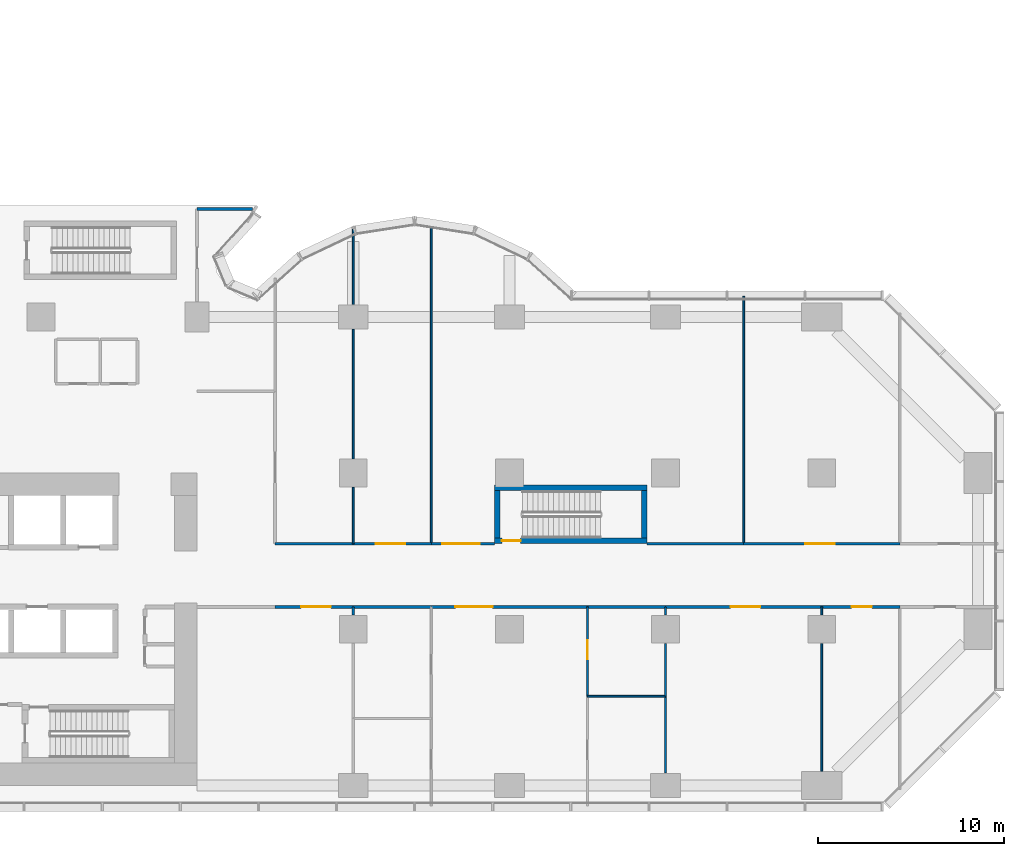
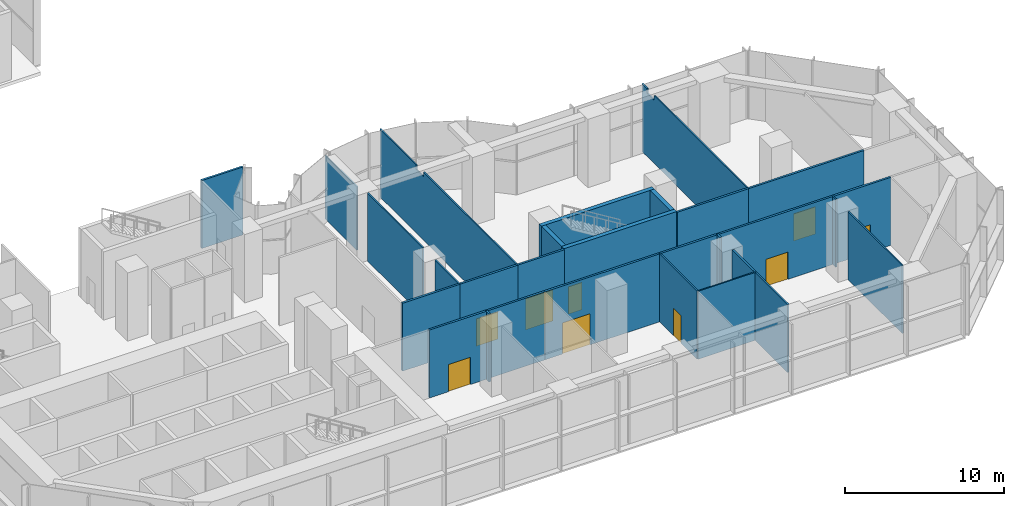
# One storey, part 10 of 16: 29 walls, 9 doors, 9 openings.
"""IFC4 building model written with IfcOpenShell, lengths in metres."""

from ifc_helpers import new_model, si_unit, direction, frame, frame_2d, origin, place, context, subcontext, project, spatial, polyline, rectangle, outline, extrude, material, layer, layer_set, type_object, element, fill, save


model = new_model("IFC4")

# Units and contexts
model_context = context("Model", 3, precision=1e-05, world=origin(), true_north=direction((0.0, 1.0)))
body_context = subcontext(model_context, "Body", "Model", "MODEL_VIEW")
ifc_project = project(units=[si_unit("LENGTHUNIT", "METRE"), si_unit("AREAUNIT", "SQUARE_METRE"), si_unit("VOLUMEUNIT", "CUBIC_METRE"), si_unit("PLANEANGLEUNIT", "RADIAN"), si_unit("MASSUNIT", "GRAM", prefix="KILO")], contexts=[model_context])

# Site, building, storey
site_placement = place(None, origin())
site = spatial("IfcSite", under=ifc_project, at=site_placement, CompositionType="ELEMENT")
building_placement = place(site_placement, origin())
building = spatial("IfcBuilding", under=site, at=building_placement, Name="Brevane Broadcast Tower", CompositionType="ELEMENT")
storey_placement = place(building_placement, frame((0.0, 0.0, 7.0)))
storey = spatial("IfcBuildingStorey", under=building, at=storey_placement, Name="L01", CompositionType="ELEMENT", Elevation=7.0)

# Wall, opening, door
ifc_material_1 = material(Name="Concrete C80/95", Category="concrete")
ifc_layer_1 = layer(ifc_material_1, 0.300048828125)
ifc_layer_set_1 = layer_set([ifc_layer_1], Name="Core wall 300 mm C80/95")
wall_type_1 = type_object("IfcWallType", Name="Core wall 300 mm C80/95", PredefinedType="SHEAR", material=ifc_layer_set_1)
wall_1_placement = place(storey_placement, frame((49.39990234375, 13.14990234375, 0.0), z_axis=(0.0, 0.0, 1.0), x_axis=(-1.0, 0.0, 0.0)))
wall_1 = element("IfcWall", 1, at=wall_1_placement, inside=storey, type_object=wall_type_1, Name="L01 stair wall ST-4-S", PredefinedType="SHEAR", context=body_context, shape_type="SweptSolid", body=[
    extrude(rectangle(XDim=8.199951171875, YDim=0.300048828125, at=frame_2d((4.10009765625, 0.0))), origin(), (0.0, 0.0, 1.0), 5.25),
])
opening_1_placement = place(wall_1_placement, frame((6.800048828125, 0.0, 0.0)))
opening_1 = element("IfcOpeningElement", 2, at=opening_1_placement, cuts=wall_1, Name="Opening L01-K16", PredefinedType="OPENING", context=body_context, shape_type="SweptSolid", body=[
    extrude(rectangle(XDim=1.0, YDim=2.10009765625, at=frame_2d((0.5, 1.050048828125))), frame((0.0, 0.159912109375, 0.0), z_axis=(0.0, -1.0, 0.0), x_axis=(1.0, 0.0, 0.0)), (0.0, 0.0, 1.0), 0.320068359375),
])
ifc_material_2 = material(Name="Steel", Category="steel")
door_type_1 = type_object("IfcDoorType", Name="Stair door 1000 x 2100", OperationType="SINGLE_SWING_LEFT", PredefinedType="DOOR", material=ifc_material_2)
door_1_placement = place(opening_1_placement, origin())
door_1 = element("IfcDoor", 3, at=door_1_placement, inside=storey, type_object=door_type_1, Name="Door L01-K16", OperationType="SINGLE_SWING_RIGHT", OverallHeight=2.10009765625, OverallWidth=1.0, PredefinedType="DOOR", context=body_context, shape_type="SweptSolid", body=[
    extrude(rectangle(XDim=1.0, YDim=2.10009765625, at=frame_2d((0.5, 1.050048828125))), frame((0.0, 0.02490234375, 0.0), z_axis=(0.0, -1.0, 0.0), x_axis=(1.0, 0.0, 0.0)), (0.0, 0.0, 1.0), 0.050048828125),
])
fill(opening_1, door_1)

# Walls
wall_2_placement = place(storey_placement, frame((41.199951171875, 16.0, 0.0), z_axis=(0.0, 0.0, 1.0), x_axis=(1.0, 0.0, 0.0)))
element("IfcWall", 4, at=wall_2_placement, inside=storey, type_object=wall_type_1, Name="L01 stair wall ST-4-N", PredefinedType="SHEAR", context=body_context, shape_type="SweptSolid", body=[
    extrude(rectangle(XDim=8.199951171875, YDim=0.300048828125, at=frame_2d((4.10009765625, 0.0))), origin(), (0.0, 0.0, 1.0), 5.25),
])
for number, where, z_axis, x_axis, name in (
    (5, (41.35009765625, 13.300048828125, 0.0), (0.0, 0.0, 1.0), (0.0, 1.0, 0.0), "L01 stair wall ST-4-W"),
    (6, (49.25, 13.300048828125, 0.0), (0.0, 0.0, 1.0), (0.0, 1.0, 0.0), "L01 stair wall ST-4-E"),
):
    element("IfcWall", number, at=place(storey_placement, frame(where, z_axis=z_axis, x_axis=x_axis)), inside=storey, type_object=wall_type_1, Name=name, PredefinedType="SHEAR", context=body_context, shape_type="SweptSolid", body=[
        extrude(rectangle(XDim=2.550048828125, YDim=0.300048828125, at=frame_2d((1.27490234375, 0.0))), origin(), (0.0, 0.0, 1.0), 5.25),
    ])

# Wall, opening, door
ifc_material_3 = material(Name="Gypsum board partition")
ifc_layer_2 = layer(ifc_material_3, 0.10009765625)
ifc_layer_set_2 = layer_set([ifc_layer_2], Name="PARTITION 100 STUD")
wall_type_2 = type_object("IfcWallType", Name="PARTITION 100 STUD", PredefinedType="PARTITIONING", material=ifc_layer_set_2)
wall_3_placement = place(storey_placement, frame((46.199951171875, 9.60009765625, 0.0), z_axis=(0.0, 0.0, 1.0), x_axis=(0.0, -1.0, 0.0)))
wall_3 = element("IfcWall", 7, at=wall_3_placement, inside=storey, type_object=wall_type_2, Name="Partition P1-025", PredefinedType="PARTITIONING", context=body_context, shape_type="SweptSolid", body=[
    extrude(rectangle(XDim=4.800048828125, YDim=0.10009765625, at=frame_2d((2.39990234375, 0.0))), origin(), (0.0, 0.0, 1.0), 5.22998046875),
])
opening_2_placement = place(wall_3_placement, frame((1.800048828125, 0.0, 0.0)))
opening_2 = element("IfcOpeningElement", 8, at=opening_2_placement, cuts=wall_3, Name="Opening D02-005", PredefinedType="OPENING", context=body_context, shape_type="SweptSolid", body=[
    extrude(rectangle(XDim=1.0, YDim=2.10009765625, at=frame_2d((0.5, 1.050048828125))), frame((0.0, 0.06005859375, 0.0), z_axis=(0.0, -1.0, 0.0), x_axis=(1.0, 0.0, 0.0)), (0.0, 0.0, 1.0), 0.1201171875),
])
ifc_material_4 = material(Name="Timber door leaf", Category="wood")
door_type_2 = type_object("IfcDoorType", Name="DOOR SINGLE 1000 INTERNAL", OperationType="SINGLE_SWING_LEFT", PredefinedType="DOOR", material=ifc_material_4)
door_2_placement = place(opening_2_placement, origin())
door_2 = element("IfcDoor", 9, at=door_2_placement, inside=storey, type_object=door_type_2, Name="Door D02-005", OperationType="SINGLE_SWING_LEFT", OverallHeight=2.10009765625, OverallWidth=1.0, PredefinedType="DOOR", context=body_context, shape_type="SweptSolid", body=[
    extrude(rectangle(XDim=1.0, YDim=2.10009765625, at=frame_2d((0.5, 1.050048828125))), frame((0.0, 0.02490234375, 0.0), z_axis=(0.0, -1.0, 0.0), x_axis=(1.0, 0.0, 0.0)), (0.0, 0.0, 1.0), 0.050048828125),
])
fill(opening_2, door_2)

# Walls
wall_4_placement = place(storey_placement, frame((46.199951171875, 4.800048828125, 0.0), z_axis=(0.0, 0.0, 1.0), x_axis=(1.0, 0.0, 0.0)))
element("IfcWall", 10, at=wall_4_placement, inside=storey, type_object=wall_type_2, Name="Partition P1-028", PredefinedType="PARTITIONING", context=body_context, shape_type="SweptSolid", body=[
    extrude(rectangle(XDim=4.199951171875, YDim=0.10009765625, at=frame_2d((2.10009765625, 0.0))), origin(), (0.0, 0.0, 1.0), 5.22998046875),
])
wall_5_placement = place(storey_placement, frame((58.800048828125, 9.60009765625, 0.0), z_axis=(0.0, 0.0, 1.0), x_axis=(0.0, -1.0, 0.0)))
element("IfcWall", 11, at=wall_5_placement, inside=storey, type_object=wall_type_2, Name="Partition P1-033", PredefinedType="PARTITIONING", context=body_context, shape_type="SweptSolid", body=[
    extrude(rectangle(XDim=0.43017578125, YDim=0.10009765625, at=frame_2d((0.215087890625, 0.0))), origin(), (0.0, 0.0, 1.0), 5.22998046875),
])
wall_6_placement = place(storey_placement, frame((58.800048828125, 7.6298828125, 0.0), z_axis=(0.0, 0.0, 1.0), x_axis=(0.0, -1.0, 0.0)))
element("IfcWall", 12, at=wall_6_placement, inside=storey, type_object=wall_type_2, Name="Partition P1-034", PredefinedType="PARTITIONING", context=body_context, shape_type="SweptSolid", body=[
    extrude(rectangle(XDim=6.85986328125, YDim=0.10009765625, at=frame_2d((3.429931640625, 0.0))), origin(), (0.0, 0.0, 1.0), 5.22998046875),
])
wall_7_placement = place(storey_placement, frame((33.60009765625, 29.903564453125, 0.0), z_axis=(0.0, 0.0, 1.0), x_axis=(0.0, -1.0, 0.0)))
element("IfcWall", 13, at=wall_7_placement, inside=storey, type_object=wall_type_2, Name="Partition P1-036", PredefinedType="PARTITIONING", context=body_context, shape_type="SweptSolid", body=[
    extrude(rectangle(XDim=4.033447265625, YDim=0.10009765625, at=frame_2d((2.0166015625, 0.0))), origin(), (0.0, 0.0, 1.0), 4.8798828125),
])
wall_8_placement = place(storey_placement, frame((33.60009765625, 24.530029296875, 0.0), z_axis=(0.0, 0.0, 1.0), x_axis=(0.0, -1.0, 0.0)))
element("IfcWall", 14, at=wall_8_placement, inside=storey, type_object=wall_type_2, Name="Partition P1-037", PredefinedType="PARTITIONING", context=body_context, shape_type="SweptSolid", body=[
    extrude(rectangle(XDim=6.9599609375, YDim=0.10009765625, at=frame_2d((3.47998046875, 0.0))), origin(), (0.0, 0.0, 1.0), 5.22998046875),
])
wall_9_placement = place(storey_placement, frame((33.60009765625, 16.030029296875, 0.0), z_axis=(0.0, 0.0, 1.0), x_axis=(0.0, -1.0, 0.0)))
element("IfcWall", 15, at=wall_9_placement, inside=storey, type_object=wall_type_2, Name="Partition P1-038", PredefinedType="PARTITIONING", context=body_context, shape_type="SweptSolid", body=[
    extrude(rectangle(XDim=3.030029296875, YDim=0.10009765625, at=frame_2d((1.51513671875, 0.0))), origin(), (0.0, 0.0, 1.0), 5.22998046875),
])
wall_10_placement = place(storey_placement, frame((37.800048828125, 30.24267578125, 0.0), z_axis=(0.0, 0.0, 1.0), x_axis=(0.0, -1.0, 0.0)))
element("IfcWall", 16, at=wall_10_placement, inside=storey, type_object=wall_type_2, Name="Partition P1-039", PredefinedType="PARTITIONING", context=body_context, shape_type="SweptSolid", body=[
    extrude(outline(polyline([(0.0, 0.0), (17.24267578125, 0.0), (17.24267578125, 5.22998046875), (5.49267578125, 5.22998046875), (5.49072265625, 4.8798828125), (4.5947265625, 4.8798828125), (4.5927734375, 5.22998046875), (0.0, 5.22998046875), (0.0, 0.0)])), frame((0.0, 0.050048828125, 0.0), z_axis=(0.0, -1.0, 0.0), x_axis=(1.0, 0.0, 0.0)), (0.0, 0.0, 1.0), 0.10009765625),
])
wall_11_placement = place(storey_placement, frame((54.60009765625, 26.300048828125, 0.0), z_axis=(0.0, 0.0, 1.0), x_axis=(0.0, -1.0, 0.0)))
element("IfcWall", 17, at=wall_11_placement, inside=storey, type_object=wall_type_2, Name="Partition P1-040", PredefinedType="PARTITIONING", context=body_context, shape_type="SweptSolid", body=[
    extrude(outline(polyline([(0.0, 0.0), (13.300048828125, 0.0), (13.300048828125, 5.22998046875), (1.550048828125, 5.22998046875), (1.548095703125, 4.8798828125), (0.652099609375, 4.8798828125), (0.64990234375, 5.22998046875), (0.0, 5.22998046875), (0.0, 0.0)])), frame((0.0, 0.050048828125, 0.0), z_axis=(0.0, -1.0, 0.0), x_axis=(1.0, 0.0, 0.0)), (0.0, 0.0, 1.0), 0.10009765625),
])
ifc_layer_3 = layer(ifc_material_3, 0.125)
ifc_layer_set_3 = layer_set([ifc_layer_3], Name="PARTITION 125 ACOUSTIC")
wall_type_3 = type_object("IfcWallType", Name="PARTITION 125 ACOUSTIC", PredefinedType="PARTITIONING", material=ifc_layer_set_3)
wall_12_placement = place(storey_placement, frame((33.60009765625, 9.60009765625, 0.0), z_axis=(0.0, 0.0, 1.0), x_axis=(0.0, -1.0, 0.0)))
element("IfcWall", 18, at=wall_12_placement, inside=storey, type_object=wall_type_3, Name="Partition P1-022", PredefinedType="PARTITIONING", context=body_context, shape_type="SweptSolid", body=[
    extrude(rectangle(XDim=0.43017578125, YDim=0.125, at=frame_2d((0.215087890625, 0.0))), origin(), (0.0, 0.0, 1.0), 5.22998046875),
])
wall_13_placement = place(storey_placement, frame((50.39990234375, 4.800048828125, 0.0), z_axis=(0.0, 0.0, 1.0), x_axis=(0.0, -1.0, 0.0)))
element("IfcWall", 19, at=wall_13_placement, inside=storey, type_object=wall_type_3, Name="Partition P1-029", PredefinedType="PARTITIONING", context=body_context, shape_type="SweptSolid", body=[
    extrude(rectangle(XDim=4.130126953125, YDim=0.125, at=frame_2d((2.06494140625, 0.0))), origin(), (0.0, 0.0, 1.0), 5.22998046875),
])
wall_14_placement = place(storey_placement, frame((50.39990234375, 9.60009765625, 0.0), z_axis=(0.0, 0.0, 1.0), x_axis=(0.0, -1.0, 0.0)))
element("IfcWall", 20, at=wall_14_placement, inside=storey, type_object=wall_type_3, Name="Partition P1-030", PredefinedType="PARTITIONING", context=body_context, shape_type="SweptSolid", body=[
    extrude(rectangle(XDim=0.43017578125, YDim=0.125, at=frame_2d((0.215087890625, 0.0))), origin(), (0.0, 0.0, 1.0), 5.22998046875),
])
wall_15_placement = place(storey_placement, frame((50.39990234375, 7.6298828125, 0.0), z_axis=(0.0, 0.0, 1.0), x_axis=(0.0, -1.0, 0.0)))
element("IfcWall", 21, at=wall_15_placement, inside=storey, type_object=wall_type_3, Name="Partition P1-031", PredefinedType="PARTITIONING", context=body_context, shape_type="SweptSolid", body=[
    extrude(rectangle(XDim=2.829833984375, YDim=0.125, at=frame_2d((1.4150390625, 0.0))), origin(), (0.0, 0.0, 1.0), 5.22998046875),
])
ifc_layer_4 = layer(ifc_material_3, 0.14990234375)
ifc_layer_set_4 = layer_set([ifc_layer_4], Name="PARTITION 150 EI 60")
wall_type_4 = type_object("IfcWallType", Name="PARTITION 150 EI 60", PredefinedType="PARTITIONING", material=ifc_layer_set_4)
wall_16_placement = place(storey_placement, frame((25.199951171875, 31.0, 0.0), z_axis=(0.0, 0.0, 1.0), x_axis=(1.0, 0.0, 0.0)))
element("IfcWall", 22, at=wall_16_placement, inside=storey, type_object=wall_type_4, Name="Partition P1-006", PredefinedType="PARTITIONING", context=body_context, shape_type="SweptSolid", body=[
    extrude(rectangle(XDim=2.994140625, YDim=0.14990234375, at=frame_2d((1.4970703125, 0.0))), origin(), (0.0, 0.0, 1.0), 5.22998046875),
])

# Wall, opening, door
wall_17_placement = place(storey_placement, frame((33.60009765625, 9.60009765625, 0.0), z_axis=(0.0, 0.0, 1.0), x_axis=(-1.0, 0.0, 0.0)))
wall_17 = element("IfcWall", 23, at=wall_17_placement, inside=storey, type_object=wall_type_4, Name="Partition P1-008", PredefinedType="PARTITIONING", context=body_context, shape_type="SweptSolid", body=[
    extrude(rectangle(XDim=4.2001953125, YDim=0.14990234375, at=frame_2d((2.10009765625, 0.0))), origin(), (0.0, 0.0, 1.0), 5.22998046875),
])
opening_3_placement = place(wall_17_placement, frame((1.199951171875, 0.0, 0.0)))
opening_3 = element("IfcOpeningElement", 24, at=opening_3_placement, cuts=wall_17, Name="Opening D02-002", PredefinedType="OPENING", context=body_context, shape_type="SweptSolid", body=[
    extrude(rectangle(XDim=1.60009765625, YDim=2.10009765625, at=frame_2d((0.800048828125, 1.050048828125))), frame((0.0, 0.0849609375, 0.0), z_axis=(0.0, -1.0, 0.0), x_axis=(1.0, 0.0, 0.0)), (0.0, 0.0, 1.0), 0.169921875),
])
ifc_material_5 = material(Name="Fire-rated timber door leaf", Category="wood")
door_type_3 = type_object("IfcDoorType", Name="DOOR DOUBLE 1600 FD30S", OperationType="DOUBLE_DOOR_SINGLE_SWING", PredefinedType="DOOR", material=ifc_material_5)
door_3_placement = place(opening_3_placement, origin())
door_3 = element("IfcDoor", 25, at=door_3_placement, inside=storey, type_object=door_type_3, Name="Door D02-002", OperationType="DOUBLE_DOOR_SINGLE_SWING", OverallHeight=2.10009765625, OverallWidth=1.60009765625, PredefinedType="DOOR", context=body_context, shape_type="SweptSolid", body=[
    extrude(rectangle(XDim=1.60009765625, YDim=2.10009765625, at=frame_2d((0.800048828125, 1.050048828125))), frame((0.0, 0.02490234375, 0.0), z_axis=(0.0, -1.0, 0.0), x_axis=(1.0, 0.0, 0.0)), (0.0, 0.0, 1.0), 0.050048828125),
])
fill(opening_3, door_3)

wall_18_placement = place(storey_placement, frame((46.199951171875, 9.60009765625, 0.0), z_axis=(0.0, 0.0, 1.0), x_axis=(-1.0, 0.0, 0.0)))
wall_18 = element("IfcWall", 26, at=wall_18_placement, inside=storey, type_object=wall_type_4, Name="Partition P1-009", PredefinedType="PARTITIONING", context=body_context, shape_type="SweptSolid", body=[
    extrude(rectangle(XDim=8.39990234375, YDim=0.14990234375, at=frame_2d((4.199951171875, 0.0))), origin(), (0.0, 0.0, 1.0), 5.22998046875),
])
opening_4_placement = place(wall_18_placement, frame((5.10009765625, 0.0, 0.0)))
opening_4 = element("IfcOpeningElement", 27, at=opening_4_placement, cuts=wall_18, Name="Opening D02-003", PredefinedType="OPENING", context=body_context, shape_type="SweptSolid", body=[
    extrude(rectangle(XDim=2.0, YDim=2.39990234375, at=frame_2d((1.0, 1.199951171875))), frame((0.0, 0.0849609375, 0.0), z_axis=(0.0, -1.0, 0.0), x_axis=(1.0, 0.0, 0.0)), (0.0, 0.0, 1.0), 0.169921875),
])
door_type_4 = type_object("IfcDoorType", Name="DOOR DOUBLE 2000 FD30S", OperationType="DOUBLE_DOOR_SINGLE_SWING", PredefinedType="DOOR", material=ifc_material_5)
door_4_placement = place(opening_4_placement, origin())
door_4 = element("IfcDoor", 28, at=door_4_placement, inside=storey, type_object=door_type_4, Name="Door D02-003", OperationType="DOUBLE_DOOR_SINGLE_SWING", OverallHeight=2.39990234375, OverallWidth=2.0, PredefinedType="DOOR", context=body_context, shape_type="SweptSolid", body=[
    extrude(rectangle(XDim=2.0, YDim=2.39990234375, at=frame_2d((1.0, 1.199951171875))), frame((0.0, 0.02490234375, 0.0), z_axis=(0.0, -1.0, 0.0), x_axis=(1.0, 0.0, 0.0)), (0.0, 0.0, 1.0), 0.050048828125),
])
fill(opening_4, door_4)

# Walls
for number, where, z_axis, x_axis, name in (
    (29, (50.39990234375, 9.60009765625, 0.0), (0.0, 0.0, 1.0), (-1.0, 0.0, 0.0), "Partition P1-010"),
    (30, (37.800048828125, 9.60009765625, 0.0), (0.0, 0.0, 1.0), (-1.0, 0.0, 0.0), "Partition P1-011"),
):
    element("IfcWall", number, at=place(storey_placement, frame(where, z_axis=z_axis, x_axis=x_axis)), inside=storey, type_object=wall_type_4, Name=name, PredefinedType="PARTITIONING", context=body_context, shape_type="SweptSolid", body=[
        extrude(rectangle(XDim=4.199951171875, YDim=0.14990234375, at=frame_2d((2.10009765625, 0.0))), origin(), (0.0, 0.0, 1.0), 5.22998046875),
    ])

# Wall, opening, door
wall_19_placement = place(storey_placement, frame((58.800048828125, 9.60009765625, 0.0), z_axis=(0.0, 0.0, 1.0), x_axis=(-1.0, 0.0, 0.0)))
wall_19 = element("IfcWall", 31, at=wall_19_placement, inside=storey, type_object=wall_type_4, Name="Partition P1-012", PredefinedType="PARTITIONING", context=body_context, shape_type="SweptSolid", body=[
    extrude(rectangle(XDim=8.400146484375, YDim=0.14990234375, at=frame_2d((4.2001953125, 0.0))), origin(), (0.0, 0.0, 1.0), 5.22998046875),
])
opening_5_placement = place(wall_19_placement, frame((3.300048828125, 0.0, 0.0)))
opening_5 = element("IfcOpeningElement", 32, at=opening_5_placement, cuts=wall_19, Name="Opening D02-008", PredefinedType="OPENING", context=body_context, shape_type="SweptSolid", body=[
    extrude(rectangle(XDim=1.60009765625, YDim=2.10009765625, at=frame_2d((0.800048828125, 1.050048828125))), frame((0.0, 0.0849609375, 0.0), z_axis=(0.0, -1.0, 0.0), x_axis=(1.0, 0.0, 0.0)), (0.0, 0.0, 1.0), 0.169921875),
])
door_5_placement = place(opening_5_placement, origin())
door_5 = element("IfcDoor", 33, at=door_5_placement, inside=storey, type_object=door_type_3, Name="Door D02-008", OperationType="DOUBLE_DOOR_SINGLE_SWING", OverallHeight=2.10009765625, OverallWidth=1.60009765625, PredefinedType="DOOR", context=body_context, shape_type="SweptSolid", body=[
    extrude(rectangle(XDim=1.60009765625, YDim=2.10009765625, at=frame_2d((0.800048828125, 1.050048828125))), frame((0.0, 0.02490234375, 0.0), z_axis=(0.0, -1.0, 0.0), x_axis=(1.0, 0.0, 0.0)), (0.0, 0.0, 1.0), 0.050048828125),
])
fill(opening_5, door_5)

wall_20_placement = place(storey_placement, frame((63.0, 9.60009765625, 0.0), z_axis=(0.0, 0.0, 1.0), x_axis=(-1.0, 0.0, 0.0)))
wall_20 = element("IfcWall", 34, at=wall_20_placement, inside=storey, type_object=wall_type_4, Name="Partition P1-013", PredefinedType="PARTITIONING", context=body_context, shape_type="SweptSolid", body=[
    extrude(rectangle(XDim=4.199951171875, YDim=0.14990234375, at=frame_2d((2.10009765625, 0.0))), origin(), (0.0, 0.0, 1.0), 5.22998046875),
])
opening_6_placement = place(wall_20_placement, frame((1.5, 0.0, 0.0)))
opening_6 = element("IfcOpeningElement", 35, at=opening_6_placement, cuts=wall_20, Name="Opening D02-009", PredefinedType="OPENING", context=body_context, shape_type="SweptSolid", body=[
    extrude(rectangle(XDim=1.10009765625, YDim=2.10009765625, at=frame_2d((0.550048828125, 1.050048828125))), frame((0.0, 0.0849609375, 0.0), z_axis=(0.0, -1.0, 0.0), x_axis=(1.0, 0.0, 0.0)), (0.0, 0.0, 1.0), 0.169921875),
])
door_type_5 = type_object("IfcDoorType", Name="DOOR SINGLE 1100 FD30S", OperationType="SINGLE_SWING_LEFT", PredefinedType="DOOR", material=ifc_material_5)
door_6_placement = place(opening_6_placement, origin())
door_6 = element("IfcDoor", 36, at=door_6_placement, inside=storey, type_object=door_type_5, Name="Door D02-009", OperationType="SINGLE_SWING_LEFT", OverallHeight=2.10009765625, OverallWidth=1.10009765625, PredefinedType="DOOR", context=body_context, shape_type="SweptSolid", body=[
    extrude(rectangle(XDim=1.10009765625, YDim=2.10009765625, at=frame_2d((0.550048828125, 1.050048828125))), frame((0.0, 0.02490234375, 0.0), z_axis=(0.0, -1.0, 0.0), x_axis=(1.0, 0.0, 0.0)), (0.0, 0.0, 1.0), 0.050048828125),
])
fill(opening_6, door_6)

# Wall
wall_21_placement = place(storey_placement, frame((29.39990234375, 13.0, 0.0), z_axis=(0.0, 0.0, 1.0), x_axis=(1.0, 0.0, 0.0)))
element("IfcWall", 37, at=wall_21_placement, inside=storey, type_object=wall_type_4, Name="Partition P1-015", PredefinedType="PARTITIONING", context=body_context, shape_type="SweptSolid", body=[
    extrude(rectangle(XDim=4.2001953125, YDim=0.14990234375, at=frame_2d((2.10009765625, 0.0))), origin(), (0.0, 0.0, 1.0), 5.22998046875),
])

# Wall, opening, door
wall_22_placement = place(storey_placement, frame((33.60009765625, 13.0, 0.0), z_axis=(0.0, 0.0, 1.0), x_axis=(1.0, 0.0, 0.0)))
wall_22 = element("IfcWall", 38, at=wall_22_placement, inside=storey, type_object=wall_type_4, Name="Partition P1-016", PredefinedType="PARTITIONING", context=body_context, shape_type="SweptSolid", body=[
    extrude(rectangle(XDim=4.199951171875, YDim=0.14990234375, at=frame_2d((2.10009765625, 0.0))), origin(), (0.0, 0.0, 1.0), 5.22998046875),
])
opening_7_placement = place(wall_22_placement, frame((1.199951171875, 0.0, 0.0)))
opening_7 = element("IfcOpeningElement", 39, at=opening_7_placement, cuts=wall_22, Name="Opening D02-012", PredefinedType="OPENING", context=body_context, shape_type="SweptSolid", body=[
    extrude(rectangle(XDim=1.60009765625, YDim=2.10009765625, at=frame_2d((0.800048828125, 1.050048828125))), frame((0.0, 0.0849609375, 0.0), z_axis=(0.0, -1.0, 0.0), x_axis=(1.0, 0.0, 0.0)), (0.0, 0.0, 1.0), 0.169921875),
])
door_7_placement = place(opening_7_placement, origin())
door_7 = element("IfcDoor", 40, at=door_7_placement, inside=storey, type_object=door_type_3, Name="Door D02-012", OperationType="DOUBLE_DOOR_SINGLE_SWING", OverallHeight=2.10009765625, OverallWidth=1.60009765625, PredefinedType="DOOR", context=body_context, shape_type="SweptSolid", body=[
    extrude(rectangle(XDim=1.60009765625, YDim=2.10009765625, at=frame_2d((0.800048828125, 1.050048828125))), frame((0.0, 0.02490234375, 0.0), z_axis=(0.0, -1.0, 0.0), x_axis=(1.0, 0.0, 0.0)), (0.0, 0.0, 1.0), 0.050048828125),
])
fill(opening_7, door_7)

wall_23_placement = place(storey_placement, frame((37.800048828125, 13.0, 0.0), z_axis=(0.0, 0.0, 1.0), x_axis=(1.0, 0.0, 0.0)))
wall_23 = element("IfcWall", 41, at=wall_23_placement, inside=storey, type_object=wall_type_4, Name="Partition P1-017", PredefinedType="PARTITIONING", context=body_context, shape_type="SweptSolid", body=[
    extrude(rectangle(XDim=3.39990234375, YDim=0.14990234375, at=frame_2d((1.699951171875, 0.0))), origin(), (0.0, 0.0, 1.0), 5.22998046875),
])
opening_8_placement = place(wall_23_placement, frame((0.60009765625, 0.0, 0.0)))
opening_8 = element("IfcOpeningElement", 42, at=opening_8_placement, cuts=wall_23, Name="Opening D02-013", PredefinedType="OPENING", context=body_context, shape_type="SweptSolid", body=[
    extrude(rectangle(XDim=2.0, YDim=2.39990234375, at=frame_2d((1.0, 1.199951171875))), frame((0.0, 0.0849609375, 0.0), z_axis=(0.0, -1.0, 0.0), x_axis=(1.0, 0.0, 0.0)), (0.0, 0.0, 1.0), 0.169921875),
])
door_8_placement = place(opening_8_placement, origin())
door_8 = element("IfcDoor", 43, at=door_8_placement, inside=storey, type_object=door_type_4, Name="Door D02-013", OperationType="DOUBLE_DOOR_SINGLE_SWING", OverallHeight=2.39990234375, OverallWidth=2.0, PredefinedType="DOOR", context=body_context, shape_type="SweptSolid", body=[
    extrude(rectangle(XDim=2.0, YDim=2.39990234375, at=frame_2d((1.0, 1.199951171875))), frame((0.0, 0.02490234375, 0.0), z_axis=(0.0, -1.0, 0.0), x_axis=(1.0, 0.0, 0.0)), (0.0, 0.0, 1.0), 0.050048828125),
])
fill(opening_8, door_8)

# Wall
wall_24_placement = place(storey_placement, frame((49.39990234375, 13.0, 0.0), z_axis=(0.0, 0.0, 1.0), x_axis=(1.0, 0.0, 0.0)))
element("IfcWall", 44, at=wall_24_placement, inside=storey, type_object=wall_type_4, Name="Partition P1-018", PredefinedType="PARTITIONING", context=body_context, shape_type="SweptSolid", body=[
    extrude(rectangle(XDim=5.2001953125, YDim=0.14990234375, at=frame_2d((2.60009765625, 0.0))), origin(), (0.0, 0.0, 1.0), 5.22998046875),
])

# Wall, opening, door
wall_25_placement = place(storey_placement, frame((54.60009765625, 13.0, 0.0), z_axis=(0.0, 0.0, 1.0), x_axis=(1.0, 0.0, 0.0)))
wall_25 = element("IfcWall", 45, at=wall_25_placement, inside=storey, type_object=wall_type_4, Name="Partition P1-019", PredefinedType="PARTITIONING", context=body_context, shape_type="SweptSolid", body=[
    extrude(rectangle(XDim=8.39990234375, YDim=0.14990234375, at=frame_2d((4.199951171875, 0.0))), origin(), (0.0, 0.0, 1.0), 5.22998046875),
])
opening_9_placement = place(wall_25_placement, frame((3.300048828125, 0.0, 0.0)))
opening_9 = element("IfcOpeningElement", 46, at=opening_9_placement, cuts=wall_25, Name="Opening D02-014", PredefinedType="OPENING", context=body_context, shape_type="SweptSolid", body=[
    extrude(rectangle(XDim=1.60009765625, YDim=2.10009765625, at=frame_2d((0.800048828125, 1.050048828125))), frame((0.0, 0.0849609375, 0.0), z_axis=(0.0, -1.0, 0.0), x_axis=(1.0, 0.0, 0.0)), (0.0, 0.0, 1.0), 0.169921875),
])
door_9_placement = place(opening_9_placement, origin())
door_9 = element("IfcDoor", 47, at=door_9_placement, inside=storey, type_object=door_type_3, Name="Door D02-014", OperationType="DOUBLE_DOOR_SINGLE_SWING", OverallHeight=2.10009765625, OverallWidth=1.60009765625, PredefinedType="DOOR", context=body_context, shape_type="SweptSolid", body=[
    extrude(rectangle(XDim=1.60009765625, YDim=2.10009765625, at=frame_2d((0.800048828125, 1.050048828125))), frame((0.0, 0.02490234375, 0.0), z_axis=(0.0, -1.0, 0.0), x_axis=(1.0, 0.0, 0.0)), (0.0, 0.0, 1.0), 0.050048828125),
])
fill(opening_9, door_9)

save(model, "model.ifc")
